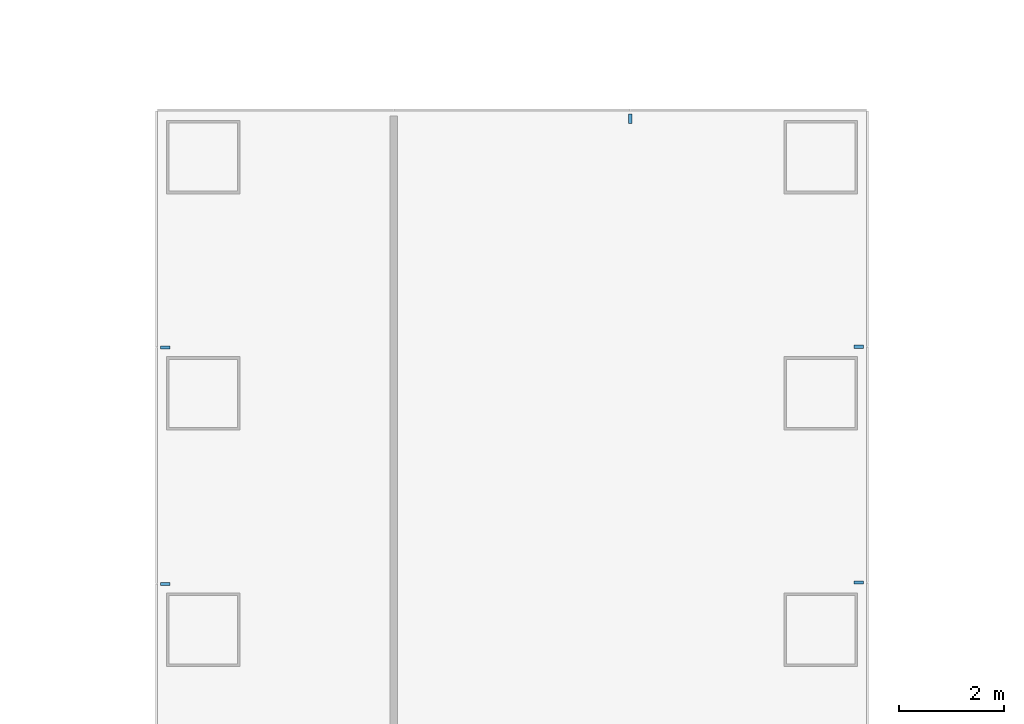
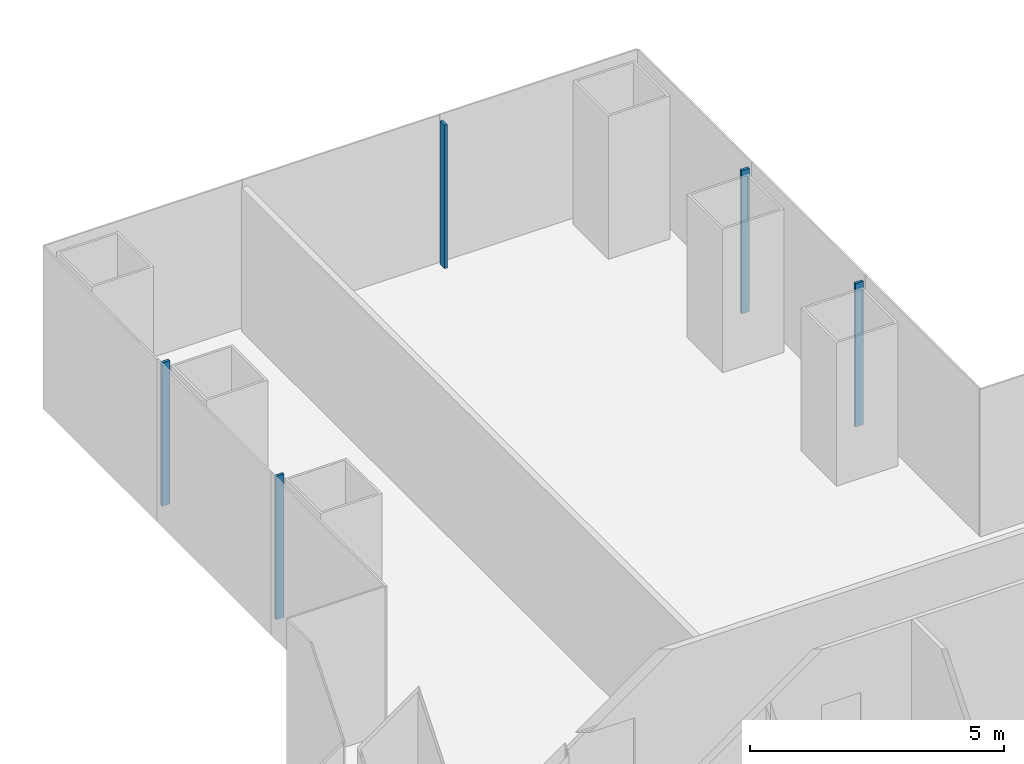
# One storey, part 6 of 22: 5 members, 3 elements without a shape of their own.
"""IFC4 building model written with IfcOpenShell, lengths in metres."""

from ifc_helpers import new_model, si_unit, direction, frame, origin, origin_2d, place, context, subcontext, project, spatial, rectangle, extrude, material, layer, layer_set, material_profile, profile_set, type_object, element, aggregate, save


model = new_model("IFC4")

# Units and contexts
model_context = context("Model", 3, precision=1e-05, world=origin(), true_north=direction((0.0, 1.0)))
body_context = subcontext(model_context, "Body", "Model", "MODEL_VIEW")
ifc_project = project(units=[si_unit("LENGTHUNIT", "METRE"), si_unit("AREAUNIT", "SQUARE_METRE"), si_unit("VOLUMEUNIT", "CUBIC_METRE"), si_unit("PLANEANGLEUNIT", "RADIAN"), si_unit("MASSUNIT", "GRAM", prefix="KILO")], contexts=[model_context])

# Site, building, storey
site_placement = place(None, origin())
site = spatial("IfcSite", under=ifc_project, at=site_placement, CompositionType="ELEMENT")
building_placement = place(site_placement, origin())
building = spatial("IfcBuilding", under=site, at=building_placement, Name="Shamsa Quay Exchange Towers", CompositionType="ELEMENT")
storey_placement = place(building_placement, frame((0.0, 0.0, 73.199951171875)))
storey = spatial("IfcBuildingStorey", under=building, at=storey_placement, Name="L16", CompositionType="ELEMENT", Elevation=73.199951171875)

# Curtain wall, members
ifc_material = material(Name="Aluminium EN AW-6063 T6, black anodised", Category="aluminium")
ifc_layer = layer(ifc_material, 0.280029296875)
ifc_layer_set = layer_set([ifc_layer], Name="CW-1 UNITISED VISION GLASS")
curtain_wall_type = type_object("IfcCurtainWallType", Name="CW-1 UNITISED VISION GLASS", PredefinedType="NOTDEFINED", material=ifc_layer_set)
curtain_wall_1_placement = place(storey_placement, origin())
curtain_wall_1 = element("IfcCurtainWall", 1, at=curtain_wall_1_placement, inside=storey, type_object=curtain_wall_type, Name="CW1 T1-FLK-V+E L16", PredefinedType="NOTDEFINED")
ifc_material_profile = material_profile(ifc_material, rectangle(XDim=0.179931640625, YDim=0.06005859375, at=origin_2d()), Name="MU60x180")
ifc_profile_set = profile_set([ifc_material_profile], Name="Aluminium EN AW-6063 T6, black anodised")
member_type = type_object("IfcMemberType", Name="CW1 MULLION 60x180", PredefinedType="MULLION", material=ifc_profile_set)
member_1_placement = place(storey_placement, frame((-27.14990234375, 15.775390625, 0.0), z_axis=(0.0, 0.0, 1.0), x_axis=(-1.0, 0.0, 0.0)))
member_1 = element("IfcMember", 2, at=member_1_placement, type_object=member_type, Name="CW1 mullion", PredefinedType="MULLION", context=body_context, shape_type="SweptSolid", body=[
    extrude(rectangle(XDim=0.179931640625, YDim=0.06005859375, at=origin_2d()), origin(), (0.0, 0.0, 1.0), 3.449951171875),
])
member_2_placement = place(storey_placement, frame((-27.14990234375, 20.2626953125, 0.0), z_axis=(0.0, 0.0, 1.0), x_axis=(-1.0, 0.0, 0.0)))
member_2 = element("IfcMember", 3, at=member_2_placement, type_object=member_type, Name="CW1 mullion", PredefinedType="MULLION", context=body_context, shape_type="SweptSolid", body=[
    extrude(rectangle(XDim=0.179931640625, YDim=0.06005859375, at=origin_2d()), origin(), (0.0, 0.0, 1.0), 3.449951171875),
])
aggregate(curtain_wall_1, [member_1, member_2])

# Curtain wall, member
curtain_wall_2_placement = place(storey_placement, origin())
curtain_wall_2 = element("IfcCurtainWall", 4, at=curtain_wall_2_placement, inside=storey, type_object=curtain_wall_type, Name="CW1 T1-END-V+ L16", PredefinedType="NOTDEFINED")
member_3_placement = place(storey_placement, frame((-31.5, 24.60009765625, 0.0), z_axis=(0.0, 0.0, 1.0), x_axis=(0.0, -1.0, 0.0)))
member_3 = element("IfcMember", 5, at=member_3_placement, type_object=member_type, Name="CW1 mullion", PredefinedType="MULLION", context=body_context, shape_type="SweptSolid", body=[
    extrude(rectangle(XDim=0.179931640625, YDim=0.06005859375, at=origin_2d()), origin(), (0.0, 0.0, 1.0), 3.449951171875),
])
aggregate(curtain_wall_2, [member_3])

# Curtain wall, members
curtain_wall_3_placement = place(storey_placement, origin())
curtain_wall_3 = element("IfcCurtainWall", 6, at=curtain_wall_3_placement, inside=storey, type_object=curtain_wall_type, Name="CW1 T1-FLK-V+W L16", PredefinedType="NOTDEFINED")
member_4_placement = place(storey_placement, frame((-40.35009765625, 20.25, 0.0)))
member_4 = element("IfcMember", 7, at=member_4_placement, type_object=member_type, Name="CW1 mullion", PredefinedType="MULLION", context=body_context, shape_type="SweptSolid", body=[
    extrude(rectangle(XDim=0.179931640625, YDim=0.06005859375, at=origin_2d()), origin(), (0.0, 0.0, 1.0), 3.449951171875),
])
member_5_placement = place(storey_placement, frame((-40.35009765625, 15.75, 0.0)))
member_5 = element("IfcMember", 8, at=member_5_placement, type_object=member_type, Name="CW1 mullion", PredefinedType="MULLION", context=body_context, shape_type="SweptSolid", body=[
    extrude(rectangle(XDim=0.179931640625, YDim=0.06005859375, at=origin_2d()), origin(), (0.0, 0.0, 1.0), 3.449951171875),
])
aggregate(curtain_wall_3, [member_4, member_5])

save(model, "model.ifc")
